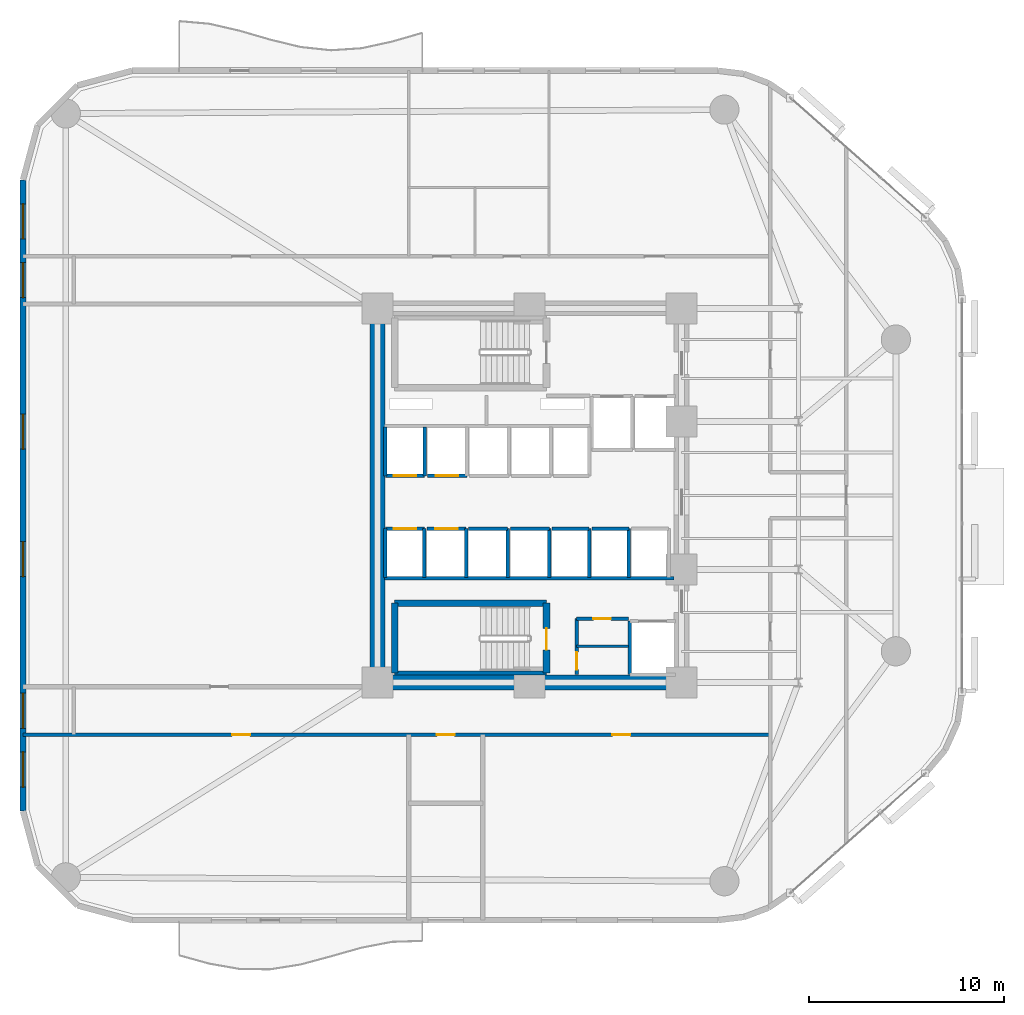
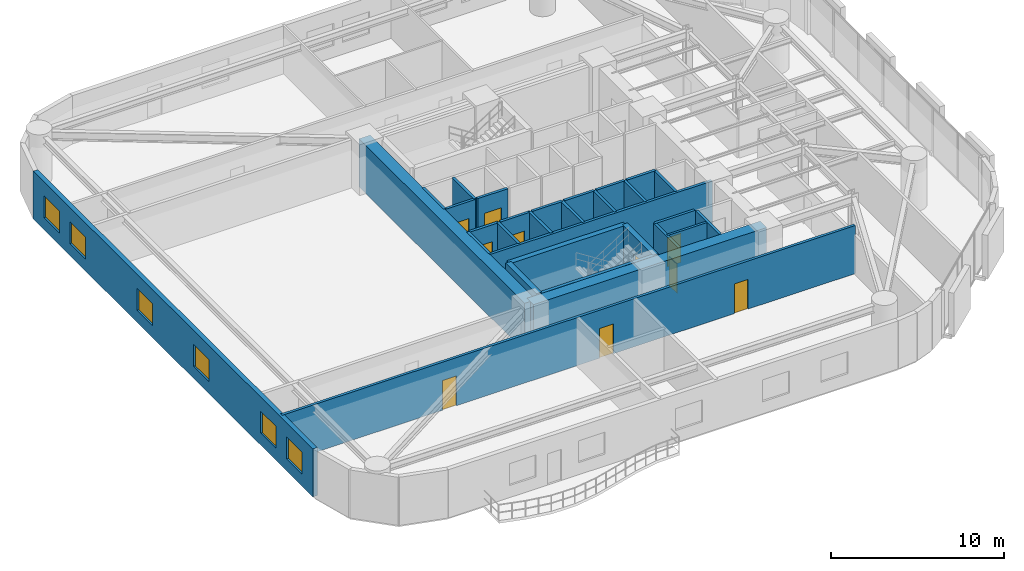
# One storey, part 10 of 15: 30 walls, 10 doors, 6 windows, 16 openings.
"""IFC4 building model written with IfcOpenShell, lengths in metres."""

from ifc_helpers import new_model, si_unit, direction, frame, frame_2d, origin, place, context, subcontext, project, spatial, rectangle, extrude, material, layer, layer_set, type_object, element, fill, save


model = new_model("IFC4")

# Units and contexts
model_context = context("Model", 3, precision=1e-05, world=origin(), true_north=direction((0.0, 1.0)))
body_context = subcontext(model_context, "Body", "Model", "MODEL_VIEW")
ifc_project = project(units=[si_unit("LENGTHUNIT", "METRE"), si_unit("AREAUNIT", "SQUARE_METRE"), si_unit("VOLUMEUNIT", "CUBIC_METRE"), si_unit("PLANEANGLEUNIT", "RADIAN"), si_unit("MASSUNIT", "GRAM", prefix="KILO")], contexts=[model_context])

# Site, building, storey
site_placement = place(None, origin())
site = spatial("IfcSite", under=ifc_project, at=site_placement, CompositionType="ELEMENT")
building_placement = place(site_placement, origin())
building = spatial("IfcBuilding", under=site, at=building_placement, Name="An Khanh Terracotta Commons", CompositionType="ELEMENT")
storey_placement = place(building_placement, frame((0.0, 0.0, 61.199951171875)))
storey = spatial("IfcBuildingStorey", under=building, at=storey_placement, Name="L16", CompositionType="ELEMENT", Elevation=61.199951171875)

# Walls
ifc_material_1 = material(Name="Concrete C70/85", Category="concrete")
ifc_layer_1 = layer(ifc_material_1, 0.75, Name="Concrete C70/85")
ifc_layer_set_1 = layer_set([ifc_layer_1], Name="Concrete C70/85")
wall_type_1 = type_object("IfcWallType", Name="WALL-CORE-750", PredefinedType="SHEAR", material=ifc_layer_set_1)
wall_1_placement = place(storey_placement, frame((21.60009765625, 14.39990234375, 0.0), z_axis=(0.0, 0.0, 1.0), x_axis=(0.0, 1.0, 0.0)))
element("IfcWall", 1, at=wall_1_placement, inside=storey, type_object=wall_type_1, Name="L16 Core Wall CWALL-L16-W", PredefinedType="SHEAR", context=body_context, shape_type="SweptSolid", body=[
    extrude(rectangle(XDim=19.2001953125, YDim=0.75, at=frame_2d((9.60009765625, 0.0))), origin(), (0.0, 0.0, 1.0), 3.400146484375),
])
wall_2_placement = place(storey_placement, frame((37.199951171875, 14.39990234375, 0.0), z_axis=(0.0, 0.0, 1.0), x_axis=(-1.0, 0.0, 0.0)))
element("IfcWall", 2, at=wall_2_placement, inside=storey, type_object=wall_type_1, Name="L16 Core Wall CWALL-L16-S", PredefinedType="SHEAR", context=body_context, shape_type="SweptSolid", body=[
    extrude(rectangle(XDim=15.599853515625, YDim=0.75, at=frame_2d((7.7998046875, 0.0))), origin(), (0.0, 0.0, 1.0), 3.400146484375),
])
ifc_material_2 = material(Name="Fire-Rated Gypsum Board on Steel Stud", Category="steel")
ifc_layer_2 = layer(ifc_material_2, 0.179931640625, Name="Fire-Rated Gypsum Board on Steel Stud")
ifc_layer_set_2 = layer_set([ifc_layer_2], Name="Fire-Rated Gypsum Board on Steel Stud")
wall_type_2 = type_object("IfcWallType", Name="WALL-CORR-180", PredefinedType="PARTITIONING", material=ifc_layer_set_2)
wall_3_placement = place(storey_placement, frame((21.949951171875, 19.760009765625, 0.0), z_axis=(0.0, 0.0, 1.0), x_axis=(1.0, 0.0, 0.0)))
element("IfcWall", 3, at=wall_3_placement, inside=storey, type_object=wall_type_2, Name="L16 Core Wall SVW-L16-N", PredefinedType="PARTITIONING", context=body_context, shape_type="SweptSolid", body=[
    extrude(rectangle(XDim=14.8701171875, YDim=0.179931640625, at=frame_2d((7.43505859375, 0.0))), origin(), (0.0, 0.0, 1.0), 3.400146484375),
])

# Wall, opening, door
wall_4_placement = place(storey_placement, frame((31.820068359375, 17.679931640625, 0.0), z_axis=(0.0, 0.0, 1.0), x_axis=(1.0, 0.0, 0.0)))
wall_4 = element("IfcWall", 4, at=wall_4_placement, inside=storey, type_object=wall_type_2, Name="L16 Core Wall SSVCW-L16-N", PredefinedType="PARTITIONING", context=body_context, shape_type="SweptSolid", body=[
    extrude(rectangle(XDim=2.659912109375, YDim=0.179931640625, at=frame_2d((1.330078125, 0.0))), origin(), (0.0, 0.0, 1.0), 3.400146484375),
])
opening_1_placement = place(wall_4_placement, frame((0.85009765625, 0.0, 0.0)))
opening_1 = element("IfcOpeningElement", 5, at=opening_1_placement, cuts=wall_4, Name="Opening D-SV", PredefinedType="OPENING", context=body_context, shape_type="SweptSolid", body=[
    extrude(rectangle(XDim=0.89990234375, YDim=2.050048828125, at=frame_2d((0.449951171875, 1.02490234375))), frame((0.0, 0.099853515625, 0.0), z_axis=(0.0, -1.0, 0.0), x_axis=(1.0, 0.0, 0.0)), (0.0, 0.0, 1.0), 0.199951171875),
])
ifc_material_3 = material(Name="Fire-Rated Powder-Coated Steel Door", Category="steel")
door_type_1 = type_object("IfcDoorType", Name="DOOR-SERV-900", OperationType="NOTDEFINED", PredefinedType="DOOR", material=ifc_material_3)
door_1_placement = place(opening_1_placement, origin())
door_1 = element("IfcDoor", 6, at=door_1_placement, inside=storey, type_object=door_type_1, Name="L16 Core Cleaner Store Door", OperationType="SINGLE_SWING_LEFT", OverallHeight=2.050048828125, OverallWidth=0.89990234375, PredefinedType="DOOR", context=body_context, shape_type="SweptSolid", body=[
    extrude(rectangle(XDim=0.89990234375, YDim=2.050048828125, at=frame_2d((0.449951171875, 1.02490234375))), frame((0.0, 0.02490234375, 0.0), z_axis=(0.0, -1.0, 0.0), x_axis=(1.0, 0.0, 0.0)), (0.0, 0.0, 1.0), 0.050048828125),
])
fill(opening_1, door_1)

wall_5_placement = place(storey_placement, frame((31.820068359375, 14.800048828125, 0.0), z_axis=(0.0, 0.0, 1.0), x_axis=(0.0, 1.0, 0.0)))
wall_5 = element("IfcWall", 7, at=wall_5_placement, inside=storey, type_object=wall_type_2, Name="L16 Core Wall SSVCW-L16-W", PredefinedType="PARTITIONING", context=body_context, shape_type="SweptSolid", body=[
    extrude(rectangle(XDim=2.8798828125, YDim=0.179931640625, at=frame_2d((1.43994140625, 0.0))), origin(), (0.0, 0.0, 1.0), 3.400146484375),
])
opening_2_placement = place(wall_5_placement, frame((0.260009765625, 0.0, 0.0)))
opening_2 = element("IfcOpeningElement", 8, at=opening_2_placement, cuts=wall_5, Name="Opening D-SV", PredefinedType="OPENING", context=body_context, shape_type="SweptSolid", body=[
    extrude(rectangle(XDim=0.89990234375, YDim=2.050048828125, at=frame_2d((0.449951171875, 1.02490234375))), frame((0.0, 0.099853515625, 0.0), z_axis=(0.0, -1.0, 0.0), x_axis=(1.0, 0.0, 0.0)), (0.0, 0.0, 1.0), 0.199951171875),
])
door_2_placement = place(opening_2_placement, origin())
door_2 = element("IfcDoor", 9, at=door_2_placement, inside=storey, type_object=door_type_1, Name="L16 Telecoms BMS Cupboard Door", OperationType="SINGLE_SWING_RIGHT", OverallHeight=2.050048828125, OverallWidth=0.89990234375, PredefinedType="DOOR", context=body_context, shape_type="SweptSolid", body=[
    extrude(rectangle(XDim=0.89990234375, YDim=2.050048828125, at=frame_2d((0.449951171875, 1.02490234375))), frame((0.0, 0.02490234375, 0.0), z_axis=(0.0, -1.0, 0.0), x_axis=(1.0, 0.0, 0.0)), (0.0, 0.0, 1.0), 0.050048828125),
])
fill(opening_2, door_2)

# Wall
wall_6_placement = place(storey_placement, frame((34.550048828125, 17.550048828125, 0.0), z_axis=(0.0, 0.0, 1.0), x_axis=(0.0, -1.0, 0.0)))
element("IfcWall", 10, at=wall_6_placement, inside=storey, type_object=wall_type_2, Name="L16 Core Wall LSH-L16-SVL-01-W", PredefinedType="PARTITIONING", context=body_context, shape_type="SweptSolid", body=[
    extrude(rectangle(XDim=2.75, YDim=0.179931640625, at=frame_2d((1.375, 0.0))), origin(), (0.0, 0.0, 1.0), 3.400146484375),
])

# Wall, opening, door
wall_7_placement = place(storey_placement, frame((24.02001953125, 25.0, 0.0), z_axis=(0.0, 0.0, 1.0), x_axis=(-1.0, 0.0, 0.0)))
wall_7 = element("IfcWall", 11, at=wall_7_placement, inside=storey, type_object=wall_type_2, Name="L16 Core Wall LSH-L16-PL-L1-S", PredefinedType="PARTITIONING", context=body_context, shape_type="SweptSolid", body=[
    extrude(rectangle(XDim=2.02001953125, YDim=0.179931640625, at=frame_2d((1.010009765625, 0.0))), origin(), (0.0, 0.0, 1.0), 3.400146484375),
])
opening_3_placement = place(wall_7_placement, frame((0.43505859375, 0.0, 0.0)))
opening_3 = element("IfcOpeningElement", 12, at=opening_3_placement, cuts=wall_7, Name="Opening LD-PL-L1-L16", PredefinedType="OPENING", context=body_context, shape_type="SweptSolid", body=[
    extrude(rectangle(XDim=1.14990234375, YDim=2.199951171875, at=frame_2d((0.574951171875, 1.10009765625))), frame((0.0, 0.099853515625, 0.0), z_axis=(0.0, -1.0, 0.0), x_axis=(1.0, 0.0, 0.0)), (0.0, 0.0, 1.0), 0.199951171875),
])
ifc_material_4 = material(Name="Brushed Stainless Steel Passenger Landing Door", Category="steel")
door_type_2 = type_object("IfcDoorType", Name="DOOR-LD-PAX-1150", OperationType="NOTDEFINED", PredefinedType="DOOR", material=ifc_material_4)
door_3_placement = place(opening_3_placement, origin())
door_3 = element("IfcDoor", 13, at=door_3_placement, inside=storey, type_object=door_type_2, Name="L16 Lift PL-L1 Sliding Landing Door", OperationType="DOUBLE_DOOR_SLIDING", OverallHeight=2.199951171875, OverallWidth=1.14990234375, PredefinedType="DOOR", context=body_context, shape_type="SweptSolid", body=[
    extrude(rectangle(XDim=1.14990234375, YDim=2.199951171875, at=frame_2d((0.574951171875, 1.10009765625))), frame((0.0, 0.02490234375, 0.0), z_axis=(0.0, -1.0, 0.0), x_axis=(1.0, 0.0, 0.0)), (0.0, 0.0, 1.0), 0.050048828125),
])
fill(opening_3, door_3)

# Walls
for number, where, z_axis, x_axis, name in (
    (14, (24.02001953125, 25.0, 0.0), (0.0, 0.0, 1.0), (0.0, 1.0, 0.0), "L16 Core Wall LSH-L16-PL-L1-E"),
    (15, (22.0, 27.5, 0.0), (0.0, 0.0, 1.0), (0.0, -1.0, 0.0), "L16 Core Wall LSH-L16-PL-L1-W"),
):
    element("IfcWall", number, at=place(storey_placement, frame(where, z_axis=z_axis, x_axis=x_axis)), inside=storey, type_object=wall_type_2, Name=name, PredefinedType="PARTITIONING", context=body_context, shape_type="SweptSolid", body=[
        extrude(rectangle(XDim=2.5, YDim=0.179931640625, at=frame_2d((1.25, 0.0))), origin(), (0.0, 0.0, 1.0), 3.400146484375),
    ])

# Wall, opening, door
wall_8_placement = place(storey_placement, frame((26.179931640625, 25.0, 0.0), z_axis=(0.0, 0.0, 1.0), x_axis=(-1.0, 0.0, 0.0)))
wall_8 = element("IfcWall", 16, at=wall_8_placement, inside=storey, type_object=wall_type_2, Name="L16 Core Wall LSH-L16-PL-L2-S", PredefinedType="PARTITIONING", context=body_context, shape_type="SweptSolid", body=[
    extrude(rectangle(XDim=2.02001953125, YDim=0.179931640625, at=frame_2d((1.010009765625, 0.0))), origin(), (0.0, 0.0, 1.0), 3.400146484375),
])
opening_4_placement = place(wall_8_placement, frame((0.43505859375, 0.0, 0.0)))
opening_4 = element("IfcOpeningElement", 17, at=opening_4_placement, cuts=wall_8, Name="Opening LD-PL-L2-L16", PredefinedType="OPENING", context=body_context, shape_type="SweptSolid", body=[
    extrude(rectangle(XDim=1.14990234375, YDim=2.199951171875, at=frame_2d((0.574951171875, 1.10009765625))), frame((0.0, 0.099853515625, 0.0), z_axis=(0.0, -1.0, 0.0), x_axis=(1.0, 0.0, 0.0)), (0.0, 0.0, 1.0), 0.199951171875),
])
door_4_placement = place(opening_4_placement, origin())
door_4 = element("IfcDoor", 18, at=door_4_placement, inside=storey, type_object=door_type_2, Name="L16 Lift PL-L2 Sliding Landing Door", OperationType="DOUBLE_DOOR_SLIDING", OverallHeight=2.199951171875, OverallWidth=1.14990234375, PredefinedType="DOOR", context=body_context, shape_type="SweptSolid", body=[
    extrude(rectangle(XDim=1.14990234375, YDim=2.199951171875, at=frame_2d((0.574951171875, 1.10009765625))), frame((0.0, 0.02490234375, 0.0), z_axis=(0.0, -1.0, 0.0), x_axis=(1.0, 0.0, 0.0)), (0.0, 0.0, 1.0), 0.050048828125),
])
fill(opening_4, door_4)

wall_9_placement = place(storey_placement, frame((22.0, 22.300048828125, 0.0), z_axis=(0.0, 0.0, 1.0), x_axis=(1.0, 0.0, 0.0)))
wall_9 = element("IfcWall", 19, at=wall_9_placement, inside=storey, type_object=wall_type_2, Name="L16 Core Wall LSH-L16-PL-L3-N", PredefinedType="PARTITIONING", context=body_context, shape_type="SweptSolid", body=[
    extrude(rectangle(XDim=2.0, YDim=0.179931640625, at=frame_2d((1.0, 0.0))), origin(), (0.0, 0.0, 1.0), 3.400146484375),
])
opening_5_placement = place(wall_9_placement, frame((0.425048828125, 0.0, 0.0)))
opening_5 = element("IfcOpeningElement", 20, at=opening_5_placement, cuts=wall_9, Name="Opening LD-PL-L3-L16", PredefinedType="OPENING", context=body_context, shape_type="SweptSolid", body=[
    extrude(rectangle(XDim=1.14990234375, YDim=2.199951171875, at=frame_2d((0.574951171875, 1.10009765625))), frame((0.0, 0.099853515625, 0.0), z_axis=(0.0, -1.0, 0.0), x_axis=(1.0, 0.0, 0.0)), (0.0, 0.0, 1.0), 0.199951171875),
])
door_5_placement = place(opening_5_placement, origin())
door_5 = element("IfcDoor", 21, at=door_5_placement, inside=storey, type_object=door_type_2, Name="L16 Lift PL-L3 Sliding Landing Door", OperationType="DOUBLE_DOOR_SLIDING", OverallHeight=2.199951171875, OverallWidth=1.14990234375, PredefinedType="DOOR", context=body_context, shape_type="SweptSolid", body=[
    extrude(rectangle(XDim=1.14990234375, YDim=2.199951171875, at=frame_2d((0.574951171875, 1.10009765625))), frame((0.0, 0.02490234375, 0.0), z_axis=(0.0, -1.0, 0.0), x_axis=(1.0, 0.0, 0.0)), (0.0, 0.0, 1.0), 0.050048828125),
])
fill(opening_5, door_5)

# Walls
for number, where, z_axis, x_axis, name in (
    (22, (24.0, 19.800048828125, 0.0), (0.0, 0.0, 1.0), (0.0, 1.0, 0.0), "L16 Core Wall LSH-L16-PL-L3-E"),
    (23, (22.0, 22.300048828125, 0.0), (0.0, 0.0, 1.0), (0.0, -1.0, 0.0), "L16 Core Wall LSH-L16-PL-L3-W"),
):
    element("IfcWall", number, at=place(storey_placement, frame(where, z_axis=z_axis, x_axis=x_axis)), inside=storey, type_object=wall_type_2, Name=name, PredefinedType="PARTITIONING", context=body_context, shape_type="SweptSolid", body=[
        extrude(rectangle(XDim=2.5, YDim=0.179931640625, at=frame_2d((1.25, 0.0))), origin(), (0.0, 0.0, 1.0), 3.400146484375),
    ])

# Wall, opening, door
wall_10_placement = place(storey_placement, frame((24.139892578125, 22.300048828125, 0.0), z_axis=(0.0, 0.0, 1.0), x_axis=(1.0, 0.0, 0.0)))
wall_10 = element("IfcWall", 24, at=wall_10_placement, inside=storey, type_object=wall_type_2, Name="L16 Core Wall LSH-L16-PL-L4-N", PredefinedType="PARTITIONING", context=body_context, shape_type="SweptSolid", body=[
    extrude(rectangle(XDim=2.0, YDim=0.179931640625, at=frame_2d((1.0, 0.0))), origin(), (0.0, 0.0, 1.0), 3.400146484375),
])
opening_6_placement = place(wall_10_placement, frame((0.425048828125, 0.0, 0.0)))
opening_6 = element("IfcOpeningElement", 25, at=opening_6_placement, cuts=wall_10, Name="Opening LD-PL-L4-L16", PredefinedType="OPENING", context=body_context, shape_type="SweptSolid", body=[
    extrude(rectangle(XDim=1.14990234375, YDim=2.199951171875, at=frame_2d((0.574951171875, 1.10009765625))), frame((0.0, 0.099853515625, 0.0), z_axis=(0.0, -1.0, 0.0), x_axis=(1.0, 0.0, 0.0)), (0.0, 0.0, 1.0), 0.199951171875),
])
door_6_placement = place(opening_6_placement, origin())
door_6 = element("IfcDoor", 26, at=door_6_placement, inside=storey, type_object=door_type_2, Name="L16 Lift PL-L4 Sliding Landing Door", OperationType="DOUBLE_DOOR_SLIDING", OverallHeight=2.199951171875, OverallWidth=1.14990234375, PredefinedType="DOOR", context=body_context, shape_type="SweptSolid", body=[
    extrude(rectangle(XDim=1.14990234375, YDim=2.199951171875, at=frame_2d((0.574951171875, 1.10009765625))), frame((0.0, 0.02490234375, 0.0), z_axis=(0.0, -1.0, 0.0), x_axis=(1.0, 0.0, 0.0)), (0.0, 0.0, 1.0), 0.050048828125),
])
fill(opening_6, door_6)

# Walls
wall_11_placement = place(storey_placement, frame((26.139892578125, 19.800048828125, 0.0), z_axis=(0.0, 0.0, 1.0), x_axis=(0.0, 1.0, 0.0)))
element("IfcWall", 27, at=wall_11_placement, inside=storey, type_object=wall_type_2, Name="L16 Core Wall LSH-L16-PL-L4-E", PredefinedType="PARTITIONING", context=body_context, shape_type="SweptSolid", body=[
    extrude(rectangle(XDim=2.5, YDim=0.179931640625, at=frame_2d((1.25, 0.0))), origin(), (0.0, 0.0, 1.0), 3.400146484375),
])
wall_12_placement = place(storey_placement, frame((26.280029296875, 22.300048828125, 0.0), z_axis=(0.0, 0.0, 1.0), x_axis=(1.0, 0.0, 0.0)))
element("IfcWall", 28, at=wall_12_placement, inside=storey, type_object=wall_type_2, Name="L16 Core Wall LSH-L16-PL-M3-N", PredefinedType="PARTITIONING", context=body_context, shape_type="SweptSolid", body=[
    extrude(rectangle(XDim=2.0, YDim=0.179931640625, at=frame_2d((1.0, 0.0))), origin(), (0.0, 0.0, 1.0), 3.400146484375),
])
wall_13_placement = place(storey_placement, frame((28.280029296875, 19.800048828125, 0.0), z_axis=(0.0, 0.0, 1.0), x_axis=(0.0, 1.0, 0.0)))
element("IfcWall", 29, at=wall_13_placement, inside=storey, type_object=wall_type_2, Name="L16 Core Wall LSH-L16-PL-M3-E", PredefinedType="PARTITIONING", context=body_context, shape_type="SweptSolid", body=[
    extrude(rectangle(XDim=2.5, YDim=0.179931640625, at=frame_2d((1.25, 0.0))), origin(), (0.0, 0.0, 1.0), 3.400146484375),
])
wall_14_placement = place(storey_placement, frame((28.419921875, 22.300048828125, 0.0), z_axis=(0.0, 0.0, 1.0), x_axis=(1.0, 0.0, 0.0)))
element("IfcWall", 30, at=wall_14_placement, inside=storey, type_object=wall_type_2, Name="L16 Core Wall LSH-L16-PL-M4-N", PredefinedType="PARTITIONING", context=body_context, shape_type="SweptSolid", body=[
    extrude(rectangle(XDim=2.0, YDim=0.179931640625, at=frame_2d((1.0, 0.0))), origin(), (0.0, 0.0, 1.0), 3.400146484375),
])
wall_15_placement = place(storey_placement, frame((30.419921875, 19.800048828125, 0.0), z_axis=(0.0, 0.0, 1.0), x_axis=(0.0, 1.0, 0.0)))
element("IfcWall", 31, at=wall_15_placement, inside=storey, type_object=wall_type_2, Name="L16 Core Wall LSH-L16-PL-M4-E", PredefinedType="PARTITIONING", context=body_context, shape_type="SweptSolid", body=[
    extrude(rectangle(XDim=2.5, YDim=0.179931640625, at=frame_2d((1.25, 0.0))), origin(), (0.0, 0.0, 1.0), 3.400146484375),
])
wall_16_placement = place(storey_placement, frame((30.56005859375, 22.300048828125, 0.0), z_axis=(0.0, 0.0, 1.0), x_axis=(1.0, 0.0, 0.0)))
element("IfcWall", 32, at=wall_16_placement, inside=storey, type_object=wall_type_2, Name="L16 Core Wall LSH-L16-PL-H2-N", PredefinedType="PARTITIONING", context=body_context, shape_type="SweptSolid", body=[
    extrude(rectangle(XDim=1.89990234375, YDim=0.179931640625, at=frame_2d((0.949951171875, 0.0))), origin(), (0.0, 0.0, 1.0), 3.400146484375),
])
wall_17_placement = place(storey_placement, frame((32.4599609375, 19.800048828125, 0.0), z_axis=(0.0, 0.0, 1.0), x_axis=(0.0, 1.0, 0.0)))
element("IfcWall", 33, at=wall_17_placement, inside=storey, type_object=wall_type_2, Name="L16 Core Wall LSH-L16-PL-H2-E", PredefinedType="PARTITIONING", context=body_context, shape_type="SweptSolid", body=[
    extrude(rectangle(XDim=2.5, YDim=0.179931640625, at=frame_2d((1.25, 0.0))), origin(), (0.0, 0.0, 1.0), 3.400146484375),
])
wall_18_placement = place(storey_placement, frame((32.60009765625, 22.300048828125, 0.0), z_axis=(0.0, 0.0, 1.0), x_axis=(1.0, 0.0, 0.0)))
element("IfcWall", 34, at=wall_18_placement, inside=storey, type_object=wall_type_2, Name="L16 Core Wall LSH-L16-PL-H3-N", PredefinedType="PARTITIONING", context=body_context, shape_type="SweptSolid", body=[
    extrude(rectangle(XDim=1.89990234375, YDim=0.179931640625, at=frame_2d((0.949951171875, 0.0))), origin(), (0.0, 0.0, 1.0), 3.400146484375),
])
wall_19_placement = place(storey_placement, frame((34.5, 19.800048828125, 0.0), z_axis=(0.0, 0.0, 1.0), x_axis=(0.0, 1.0, 0.0)))
element("IfcWall", 35, at=wall_19_placement, inside=storey, type_object=wall_type_2, Name="L16 Core Wall LSH-L16-PL-H3-E", PredefinedType="PARTITIONING", context=body_context, shape_type="SweptSolid", body=[
    extrude(rectangle(XDim=2.5, YDim=0.179931640625, at=frame_2d((1.25, 0.0))), origin(), (0.0, 0.0, 1.0), 3.400146484375),
])

# Wall, openings, doors
wall_20_placement = place(storey_placement, frame((3.39990234375, 11.719970703125, 0.0), z_axis=(0.0, 0.0, 1.0), x_axis=(1.0, 0.0, 0.0)))
wall_20 = element("IfcWall", 36, at=wall_20_placement, inside=storey, type_object=wall_type_2, Name="L16 Interior Partition IW-L16-E002", PredefinedType="PARTITIONING", context=body_context, shape_type="SweptSolid", body=[
    extrude(rectangle(XDim=38.35009765625, YDim=0.179931640625, at=frame_2d((19.175048828125, 0.0))), origin(), (0.0, 0.0, 1.0), 3.400146484375),
])
opening_7_placement = place(wall_20_placement, frame((21.239990234375, 0.0, 0.0)))
opening_7 = element("IfcOpeningElement", 37, at=opening_7_placement, cuts=wall_20, Name="Opening D-RM", PredefinedType="OPENING", context=body_context, shape_type="SweptSolid", body=[
    extrude(rectangle(XDim=0.919921875, YDim=2.10009765625, at=frame_2d((0.4599609375, 1.050048828125))), frame((0.0, 0.099853515625, 0.0), z_axis=(0.0, -1.0, 0.0), x_axis=(1.0, 0.0, 0.0)), (0.0, 0.0, 1.0), 0.199951171875),
])
opening_8_placement = place(wall_20_placement, frame((10.739990234375, 0.0, 0.0)))
opening_8 = element("IfcOpeningElement", 38, at=opening_8_placement, cuts=wall_20, Name="Opening D-RM", PredefinedType="OPENING", context=body_context, shape_type="SweptSolid", body=[
    extrude(rectangle(XDim=0.919921875, YDim=2.10009765625, at=frame_2d((0.4599609375, 1.050048828125))), frame((0.0, 0.099853515625, 0.0), z_axis=(0.0, -1.0, 0.0), x_axis=(1.0, 0.0, 0.0)), (0.0, 0.0, 1.0), 0.199951171875),
])
opening_9_placement = place(wall_20_placement, frame((30.2548828125, 0.0, 0.0)))
opening_9 = element("IfcOpeningElement", 39, at=opening_9_placement, cuts=wall_20, Name="Opening D-RM", PredefinedType="OPENING", context=body_context, shape_type="SweptSolid", body=[
    extrude(rectangle(XDim=0.919921875, YDim=2.10009765625, at=frame_2d((0.4599609375, 1.050048828125))), frame((0.0, 0.099853515625, 0.0), z_axis=(0.0, -1.0, 0.0), x_axis=(1.0, 0.0, 0.0)), (0.0, 0.0, 1.0), 0.199951171875),
])
ifc_material_5 = material(Name="Engineered Hardwood Timber Leaf", Category="wood")
door_type_3 = type_object("IfcDoorType", Name="DOOR-INT-920", OperationType="NOTDEFINED", PredefinedType="DOOR", material=ifc_material_5)
door_7_placement = place(opening_7_placement, origin())
door_7 = element("IfcDoor", 40, at=door_7_placement, inside=storey, type_object=door_type_3, Name="L16 HKP Housekeeping Linen Store Door", OperationType="SINGLE_SWING_LEFT", OverallHeight=2.10009765625, OverallWidth=0.919921875, PredefinedType="DOOR", context=body_context, shape_type="SweptSolid", body=[
    extrude(rectangle(XDim=0.919921875, YDim=2.10009765625, at=frame_2d((0.4599609375, 1.050048828125))), frame((0.0, 0.02490234375, 0.0), z_axis=(0.0, -1.0, 0.0), x_axis=(1.0, 0.0, 0.0)), (0.0, 0.0, 1.0), 0.050048828125),
])
fill(opening_7, door_7)
door_8_placement = place(opening_8_placement, origin())
door_8 = element("IfcDoor", 41, at=door_8_placement, inside=storey, type_object=door_type_3, Name="L16 SW1 Academic Seminar Room Door", OperationType="SINGLE_SWING_LEFT", OverallHeight=2.10009765625, OverallWidth=0.919921875, PredefinedType="DOOR", context=body_context, shape_type="SweptSolid", body=[
    extrude(rectangle(XDim=0.919921875, YDim=2.10009765625, at=frame_2d((0.4599609375, 1.050048828125))), frame((0.0, 0.02490234375, 0.0), z_axis=(0.0, -1.0, 0.0), x_axis=(1.0, 0.0, 0.0)), (0.0, 0.0, 1.0), 0.050048828125),
])
fill(opening_8, door_8)
door_9_placement = place(opening_9_placement, origin())
door_9 = element("IfcDoor", 42, at=door_9_placement, inside=storey, type_object=door_type_3, Name="L16 SWE Music Practice Room Door", OperationType="SINGLE_SWING_RIGHT", OverallHeight=2.10009765625, OverallWidth=0.919921875, PredefinedType="DOOR", context=body_context, shape_type="SweptSolid", body=[
    extrude(rectangle(XDim=0.919921875, YDim=2.10009765625, at=frame_2d((0.4599609375, 1.050048828125))), frame((0.0, 0.02490234375, 0.0), z_axis=(0.0, -1.0, 0.0), x_axis=(1.0, 0.0, 0.0)), (0.0, 0.0, 1.0), 0.050048828125),
])
fill(opening_9, door_9)

# Wall, openings, windows
ifc_material_6 = material(Name="Precast concrete C40/50", Category="concrete")
ifc_layer_3 = layer(ifc_material_6, 0.300048828125, Name="Precast concrete C40/50")
ifc_layer_set_3 = layer_set([ifc_layer_3], Name="Precast concrete C40/50")
wall_type_3 = type_object("IfcWallType", Name="WALL-EXT-300", PredefinedType="SOLIDWALL", material=ifc_layer_set_3)
wall_21_placement = place(storey_placement, frame((3.39990234375, 40.199951171875, 0.0), z_axis=(0.0, 0.0, 1.0), x_axis=(0.0, -1.0, 0.0)))
wall_21 = element("IfcWall", 43, at=wall_21_placement, inside=storey, type_object=wall_type_3, Name="L16 Insulated Terracotta Exterior Wall 24", PredefinedType="SOLIDWALL", context=body_context, shape_type="SweptSolid", body=[
    extrude(rectangle(XDim=32.39990234375, YDim=0.300048828125, at=frame_2d((16.199951171875, 0.0))), origin(), (0.0, 0.0, 1.0), 3.400146484375),
])
opening_10_placement = place(wall_21_placement, frame((1.235107421875, 0.0, 0.85009765625)))
opening_10 = element("IfcOpeningElement", 44, at=opening_10_placement, cuts=wall_21, Name="Opening W-01", PredefinedType="OPENING", context=body_context, shape_type="SweptSolid", body=[
    extrude(rectangle(XDim=1.800048828125, YDim=1.550048828125, at=frame_2d((0.89990234375, 0.77490234375))), frame((0.0, 0.159912109375, 0.0), z_axis=(0.0, -1.0, 0.0), x_axis=(1.0, 0.0, 0.0)), (0.0, 0.0, 1.0), 0.320068359375),
])
opening_11_placement = place(wall_21_placement, frame((4.25, 0.0, 0.85009765625)))
opening_11 = element("IfcOpeningElement", 45, at=opening_11_placement, cuts=wall_21, Name="Opening W-01", PredefinedType="OPENING", context=body_context, shape_type="SweptSolid", body=[
    extrude(rectangle(XDim=1.800048828125, YDim=1.550048828125, at=frame_2d((0.89990234375, 0.77490234375))), frame((0.0, 0.159912109375, 0.0), z_axis=(0.0, -1.0, 0.0), x_axis=(1.0, 0.0, 0.0)), (0.0, 0.0, 1.0), 0.320068359375),
])
opening_12_placement = place(wall_21_placement, frame((12.027099609375, 0.0, 0.85009765625)))
opening_12 = element("IfcOpeningElement", 46, at=opening_12_placement, cuts=wall_21, Name="Opening W-01", PredefinedType="OPENING", context=body_context, shape_type="SweptSolid", body=[
    extrude(rectangle(XDim=1.800048828125, YDim=1.550048828125, at=frame_2d((0.89990234375, 0.77490234375))), frame((0.0, 0.159912109375, 0.0), z_axis=(0.0, -1.0, 0.0), x_axis=(1.0, 0.0, 0.0)), (0.0, 0.0, 1.0), 0.320068359375),
])
opening_13_placement = place(wall_21_placement, frame((18.572998046875, 0.0, 0.85009765625)))
opening_13 = element("IfcOpeningElement", 47, at=opening_13_placement, cuts=wall_21, Name="Opening W-01", PredefinedType="OPENING", context=body_context, shape_type="SweptSolid", body=[
    extrude(rectangle(XDim=1.800048828125, YDim=1.550048828125, at=frame_2d((0.89990234375, 0.77490234375))), frame((0.0, 0.159912109375, 0.0), z_axis=(0.0, -1.0, 0.0), x_axis=(1.0, 0.0, 0.0)), (0.0, 0.0, 1.0), 0.320068359375),
])
opening_14_placement = place(wall_21_placement, frame((26.35009765625, 0.0, 0.85009765625)))
opening_14 = element("IfcOpeningElement", 48, at=opening_14_placement, cuts=wall_21, Name="Opening W-01", PredefinedType="OPENING", context=body_context, shape_type="SweptSolid", body=[
    extrude(rectangle(XDim=1.800048828125, YDim=1.550048828125, at=frame_2d((0.89990234375, 0.77490234375))), frame((0.0, 0.159912109375, 0.0), z_axis=(0.0, -1.0, 0.0), x_axis=(1.0, 0.0, 0.0)), (0.0, 0.0, 1.0), 0.320068359375),
])
opening_15_placement = place(wall_21_placement, frame((29.364990234375, 0.0, 0.85009765625)))
opening_15 = element("IfcOpeningElement", 49, at=opening_15_placement, cuts=wall_21, Name="Opening W-01", PredefinedType="OPENING", context=body_context, shape_type="SweptSolid", body=[
    extrude(rectangle(XDim=1.800048828125, YDim=1.550048828125, at=frame_2d((0.89990234375, 0.77490234375))), frame((0.0, 0.159912109375, 0.0), z_axis=(0.0, -1.0, 0.0), x_axis=(1.0, 0.0, 0.0)), (0.0, 0.0, 1.0), 0.320068359375),
])
ifc_material_7 = material(Name="Thermally Broken Aluminium and Low-E Glass", Category="aluminium")
window_type = type_object("IfcWindowType", Name="WIN-Z1-1800x1550", PartitioningType="DOUBLE_PANEL_VERTICAL", PredefinedType="WINDOW", material=ifc_material_7)
window_1_placement = place(opening_10_placement, origin())
window_1 = element("IfcWindow", 50, at=window_1_placement, inside=storey, type_object=window_type, Name="L16 Operable Casement Window 24.1", OverallHeight=1.550048828125, OverallWidth=1.800048828125, PartitioningType="DOUBLE_PANEL_VERTICAL", PredefinedType="WINDOW", context=body_context, shape_type="SweptSolid", body=[
    extrude(rectangle(XDim=1.800048828125, YDim=1.550048828125, at=frame_2d((0.89990234375, 0.77490234375))), frame((0.0, 0.030029296875, 0.0), z_axis=(0.0, -1.0, 0.0), x_axis=(1.0, 0.0, 0.0)), (0.0, 0.0, 1.0), 0.06005859375),
])
fill(opening_10, window_1)
window_2_placement = place(opening_11_placement, origin())
window_2 = element("IfcWindow", 51, at=window_2_placement, inside=storey, type_object=window_type, Name="L16 Operable Casement Window 24.2", OverallHeight=1.550048828125, OverallWidth=1.800048828125, PartitioningType="DOUBLE_PANEL_VERTICAL", PredefinedType="WINDOW", context=body_context, shape_type="SweptSolid", body=[
    extrude(rectangle(XDim=1.800048828125, YDim=1.550048828125, at=frame_2d((0.89990234375, 0.77490234375))), frame((0.0, 0.030029296875, 0.0), z_axis=(0.0, -1.0, 0.0), x_axis=(1.0, 0.0, 0.0)), (0.0, 0.0, 1.0), 0.06005859375),
])
fill(opening_11, window_2)
window_3_placement = place(opening_12_placement, origin())
window_3 = element("IfcWindow", 52, at=window_3_placement, inside=storey, type_object=window_type, Name="L16 Operable Casement Window 24.3", OverallHeight=1.550048828125, OverallWidth=1.800048828125, PartitioningType="DOUBLE_PANEL_VERTICAL", PredefinedType="WINDOW", context=body_context, shape_type="SweptSolid", body=[
    extrude(rectangle(XDim=1.800048828125, YDim=1.550048828125, at=frame_2d((0.89990234375, 0.77490234375))), frame((0.0, 0.030029296875, 0.0), z_axis=(0.0, -1.0, 0.0), x_axis=(1.0, 0.0, 0.0)), (0.0, 0.0, 1.0), 0.06005859375),
])
fill(opening_12, window_3)
window_4_placement = place(opening_13_placement, origin())
window_4 = element("IfcWindow", 53, at=window_4_placement, inside=storey, type_object=window_type, Name="L16 Operable Casement Window 24.4", OverallHeight=1.550048828125, OverallWidth=1.800048828125, PartitioningType="DOUBLE_PANEL_VERTICAL", PredefinedType="WINDOW", context=body_context, shape_type="SweptSolid", body=[
    extrude(rectangle(XDim=1.800048828125, YDim=1.550048828125, at=frame_2d((0.89990234375, 0.77490234375))), frame((0.0, 0.030029296875, 0.0), z_axis=(0.0, -1.0, 0.0), x_axis=(1.0, 0.0, 0.0)), (0.0, 0.0, 1.0), 0.06005859375),
])
fill(opening_13, window_4)
window_5_placement = place(opening_14_placement, origin())
window_5 = element("IfcWindow", 54, at=window_5_placement, inside=storey, type_object=window_type, Name="L16 Operable Casement Window 24.5", OverallHeight=1.550048828125, OverallWidth=1.800048828125, PartitioningType="DOUBLE_PANEL_VERTICAL", PredefinedType="WINDOW", context=body_context, shape_type="SweptSolid", body=[
    extrude(rectangle(XDim=1.800048828125, YDim=1.550048828125, at=frame_2d((0.89990234375, 0.77490234375))), frame((0.0, 0.030029296875, 0.0), z_axis=(0.0, -1.0, 0.0), x_axis=(1.0, 0.0, 0.0)), (0.0, 0.0, 1.0), 0.06005859375),
])
fill(opening_14, window_5)
window_6_placement = place(opening_15_placement, origin())
window_6 = element("IfcWindow", 55, at=window_6_placement, inside=storey, type_object=window_type, Name="L16 Operable Casement Window 24.6", OverallHeight=1.550048828125, OverallWidth=1.800048828125, PartitioningType="DOUBLE_PANEL_VERTICAL", PredefinedType="WINDOW", context=body_context, shape_type="SweptSolid", body=[
    extrude(rectangle(XDim=1.800048828125, YDim=1.550048828125, at=frame_2d((0.89990234375, 0.77490234375))), frame((0.0, 0.030029296875, 0.0), z_axis=(0.0, -1.0, 0.0), x_axis=(1.0, 0.0, 0.0)), (0.0, 0.0, 1.0), 0.06005859375),
])
fill(opening_15, window_6)

# Walls
ifc_material_8 = material(Name="Acoustic Gypsum Board Partition")
ifc_layer_4 = layer(ifc_material_8, 0.14990234375, Name="Acoustic Gypsum Board Partition")
ifc_layer_set_4 = layer_set([ifc_layer_4], Name="Acoustic Gypsum Board Partition")
wall_type_4 = type_object("IfcWallType", Name="WALL-PART-150", PredefinedType="PARTITIONING", material=ifc_layer_set_4)
wall_22_placement = place(storey_placement, frame((31.820068359375, 16.260009765625, 0.0), z_axis=(0.0, 0.0, 1.0), x_axis=(1.0, 0.0, 0.0)))
element("IfcWall", 56, at=wall_22_placement, inside=storey, type_object=wall_type_4, Name="L16 Core Wall SSVCW-L16-M", PredefinedType="PARTITIONING", context=body_context, shape_type="SweptSolid", body=[
    extrude(rectangle(XDim=2.659912109375, YDim=0.14990234375, at=frame_2d((1.330078125, 0.0))), origin(), (0.0, 0.0, 1.0), 3.400146484375),
])
ifc_material_9 = material(Name="Acoustic Double-Stud Gypsum and Mineral Wool")
ifc_layer_5 = layer(ifc_material_9, 0.219970703125, Name="Acoustic Double-Stud Gypsum and Mineral Wool")
ifc_layer_set_5 = layer_set([ifc_layer_5], Name="Acoustic Double-Stud Gypsum and Mineral Wool")
wall_type_5 = type_object("IfcWallType", Name="WALL-PARTY-220", PredefinedType="PARTITIONING", material=ifc_layer_set_5)
wall_23_placement = place(storey_placement, frame((22.47998046875, 14.889892578125, 0.0), z_axis=(0.0, 0.0, 1.0), x_axis=(1.0, 0.0, 0.0)))
element("IfcWall", 57, at=wall_23_placement, inside=storey, type_object=wall_type_5, Name="L16 Core Wall STW-L16-S-S", PredefinedType="PARTITIONING", context=body_context, shape_type="SweptSolid", body=[
    extrude(rectangle(XDim=7.7900390625, YDim=0.219970703125, at=frame_2d((3.89501953125, 0.0))), origin(), (0.0, 0.0, 1.0), 3.400146484375),
])
ifc_material_10 = material(Name="Concrete C50/60", Category="concrete")
ifc_layer_6 = layer(ifc_material_10, 0.35009765625, Name="Concrete C50/60")
ifc_layer_set_6 = layer_set([ifc_layer_6], Name="Concrete C50/60")
wall_type_6 = type_object("IfcWallType", Name="WALL-SHAFT-350", PredefinedType="SOLIDWALL", material=ifc_layer_set_6)
wall_24_placement = place(storey_placement, frame((22.47998046875, 18.469970703125, 0.0), z_axis=(0.0, 0.0, 1.0), x_axis=(1.0, 0.0, 0.0)))
element("IfcWall", 58, at=wall_24_placement, inside=storey, type_object=wall_type_6, Name="L16 Core Wall STW-L16-S-N", PredefinedType="SOLIDWALL", context=body_context, shape_type="SweptSolid", body=[
    extrude(rectangle(XDim=7.7900390625, YDim=0.35009765625, at=frame_2d((3.89501953125, 0.0))), origin(), (0.0, 0.0, 1.0), 3.400146484375),
])
wall_25_placement = place(storey_placement, frame((22.47998046875, 14.889892578125, 0.0), z_axis=(0.0, 0.0, 1.0), x_axis=(0.0, 1.0, 0.0)))
element("IfcWall", 59, at=wall_25_placement, inside=storey, type_object=wall_type_6, Name="L16 Core Wall STW-L16-S-W", PredefinedType="SOLIDWALL", context=body_context, shape_type="SweptSolid", body=[
    extrude(rectangle(XDim=3.580078125, YDim=0.35009765625, at=frame_2d((1.7900390625, 0.0))), origin(), (0.0, 0.0, 1.0), 3.400146484375),
])

# Wall, opening, door
wall_26_placement = place(storey_placement, frame((30.27001953125, 14.889892578125, 0.0), z_axis=(0.0, 0.0, 1.0), x_axis=(0.0, 1.0, 0.0)))
wall_26 = element("IfcWall", 60, at=wall_26_placement, inside=storey, type_object=wall_type_6, Name="L16 Core Wall STW-L16-S-E", PredefinedType="SOLIDWALL", context=body_context, shape_type="SweptSolid", body=[
    extrude(rectangle(XDim=3.580078125, YDim=0.35009765625, at=frame_2d((1.7900390625, 0.0))), origin(), (0.0, 0.0, 1.0), 3.400146484375),
])
opening_16_placement = place(wall_26_placement, frame((1.18994140625, 0.0, 0.0)))
opening_16 = element("IfcOpeningElement", 61, at=opening_16_placement, cuts=wall_26, Name="Opening D-ST", PredefinedType="OPENING", context=body_context, shape_type="SweptSolid", body=[
    extrude(rectangle(XDim=1.10009765625, YDim=2.14990234375, at=frame_2d((0.550048828125, 1.074951171875))), frame((0.0, 0.18505859375, 0.0), z_axis=(0.0, -1.0, 0.0), x_axis=(1.0, 0.0, 0.0)), (0.0, 0.0, 1.0), 0.3701171875),
])
ifc_material_11 = material(Name="Fire-Rated Steel Leaf and Frame", Category="steel")
door_type_4 = type_object("IfcDoorType", Name="DOOR-STAIR-1100", OperationType="NOTDEFINED", PredefinedType="DOOR", material=ifc_material_11)
door_10_placement = place(opening_16_placement, origin())
door_10 = element("IfcDoor", 62, at=door_10_placement, inside=storey, type_object=door_type_4, Name="L16 Stair ST-02 Fire Door", OperationType="SINGLE_SWING_RIGHT", OverallHeight=2.14990234375, OverallWidth=1.10009765625, PredefinedType="DOOR", context=body_context, shape_type="SweptSolid", body=[
    extrude(rectangle(XDim=1.10009765625, YDim=2.14990234375, at=frame_2d((0.550048828125, 1.074951171875))), frame((0.0, 0.02490234375, 0.0), z_axis=(0.0, -1.0, 0.0), x_axis=(1.0, 0.0, 0.0)), (0.0, 0.0, 1.0), 0.050048828125),
])
fill(opening_16, door_10)

save(model, "model.ifc")
